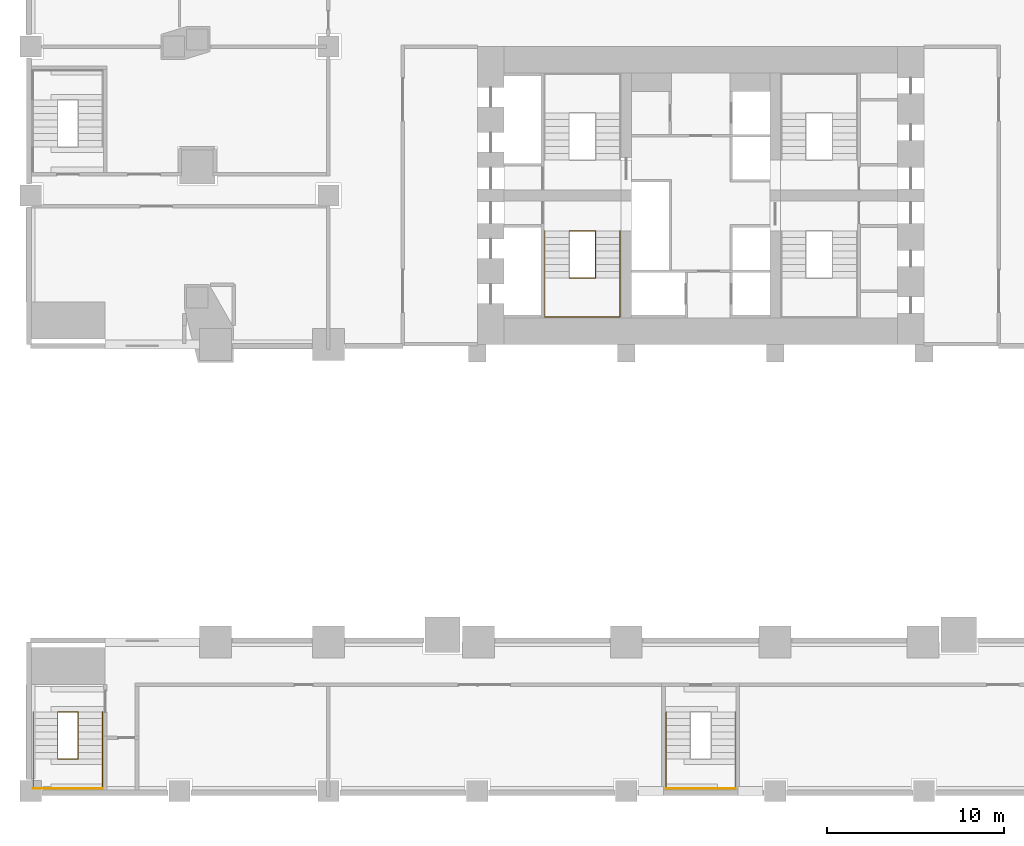
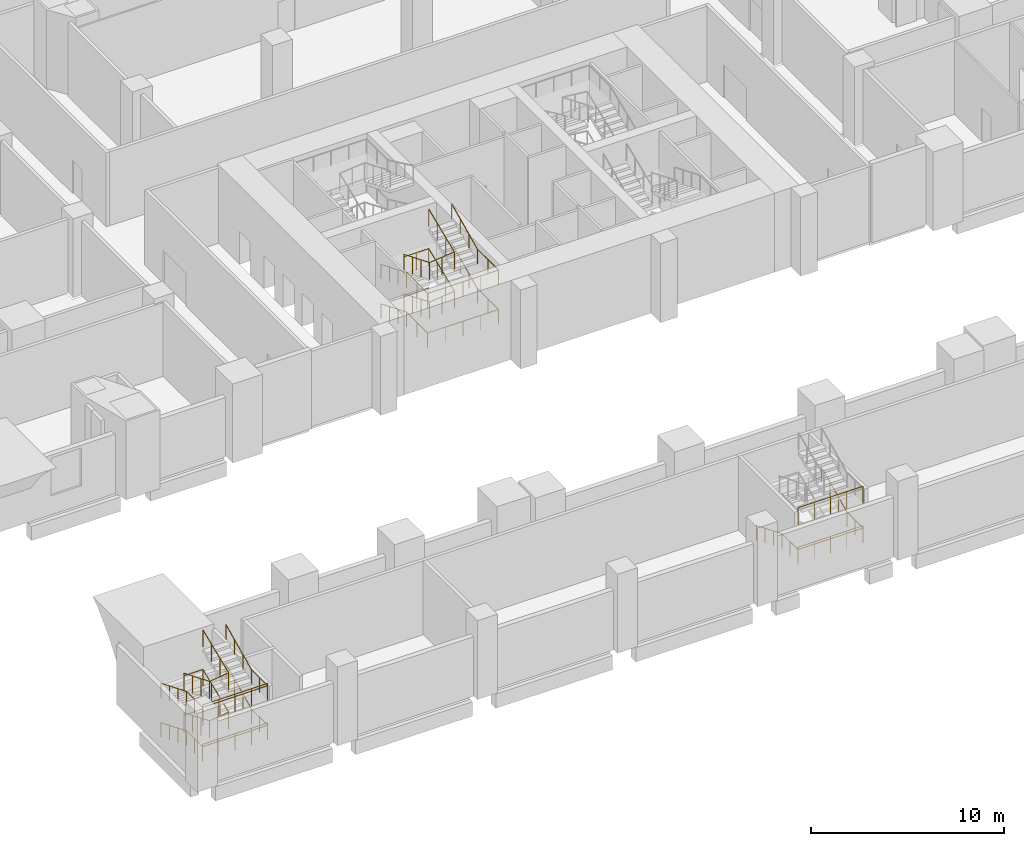
# One storey, part 11 of 16: 13 railings.
"""IFC4 building model written with IfcOpenShell, lengths in metres."""

from ifc_helpers import new_model, si_unit, direction, frame, origin, origin_2d, place, context, subcontext, project, spatial, circle, extrude, material, type_object, element, save


model = new_model("IFC4")

# Units and contexts
model_context = context("Model", 3, precision=1e-05, world=origin(), true_north=direction((0.0, 1.0)))
body_context = subcontext(model_context, "Body", "Model", "MODEL_VIEW")
ifc_project = project(units=[si_unit("LENGTHUNIT", "METRE"), si_unit("AREAUNIT", "SQUARE_METRE"), si_unit("VOLUMEUNIT", "CUBIC_METRE"), si_unit("PLANEANGLEUNIT", "RADIAN"), si_unit("MASSUNIT", "GRAM", prefix="KILO")], contexts=[model_context])

# Site, building, storey
site_placement = place(None, origin())
site = spatial("IfcSite", under=ifc_project, at=site_placement, CompositionType="ELEMENT")
building_placement = place(site_placement, origin())
building = spatial("IfcBuilding", under=site, at=building_placement, Name="Marenta Gate Hotel Tower", CompositionType="ELEMENT")
storey_placement = place(building_placement, frame((0.0, 0.0, 21.0)))
storey = spatial("IfcBuildingStorey", under=building, at=storey_placement, Name="L03", CompositionType="ELEMENT", Elevation=21.0)

# Railings
ifc_material_1 = material(Name="Stainless steel", Category="steel")
railing_type_1 = type_object("IfcRailingType", Name="Core stair handrail 950", PredefinedType="HANDRAIL", material=ifc_material_1)
railing_1_placement = place(storey_placement, frame((-8.800048828125, 6.39990234375, 0.15625)))
element("IfcRailing", 1, at=railing_1_placement, inside=storey, type_object=railing_type_1, Name="HR-950 L03-KR-ST1-1", PredefinedType="HANDRAIL", context=body_context, shape_type="SweptSolid", body=[
    extrude(circle(Radius=0.02392578125, at=origin_2d()), frame((0.0, 0.0, 0.92578125), z_axis=(0.0, -0.924862585091, 0.38030145766), x_axis=(1.0, 0.0, 0.0)), (0.0, 0.0, 1.0), 2.8759765625),
    extrude(circle(Radius=0.02392578125, at=origin_2d()), frame((0.0, -2.659912109375, 2.01953125), z_axis=(0.0, -1.0, 0.0), x_axis=(1.0, 0.0, 0.0)), (0.0, 0.0, 1.0), 2.18994140625),
    extrude(circle(Radius=0.02392578125, at=origin_2d()), frame((0.0, -4.849853515625, 2.01953125), z_axis=(1.0, 0.0, 0.0), x_axis=(0.0, 1.0, 0.0)), (0.0, 0.0, 1.0), 4.25),
    extrude(circle(Radius=0.02392578125, at=origin_2d()), frame((4.25, -4.849853515625, 2.01953125), z_axis=(0.0, 1.0, 0.0), x_axis=(-1.0, 0.0, 0.0)), (0.0, 0.0, 1.0), 2.18994140625),
    extrude(circle(Radius=0.02392578125, at=origin_2d()), frame((4.25, -2.659912109375, 2.01953125), z_axis=(0.0, 0.905044486808, 0.425316913488), x_axis=(-1.0, 0.0, 0.0)), (0.0, 0.0, 1.0), 2.93896484375),
    extrude(circle(Radius=0.02099609375, at=origin_2d()), origin(), (0.0, 0.0, 1.0), 0.90185546875),
    extrude(circle(Radius=0.02099609375, at=origin_2d()), frame((0.0, -0.88671875, 0.364501953125)), (0.0, 0.0, 1.0), 0.90185546875),
    extrude(circle(Radius=0.02099609375, at=origin_2d()), frame((0.0, -1.773193359375, 0.729248046875)), (0.0, 0.0, 1.0), 0.90185546875),
    extrude(circle(Radius=0.02099609375, at=origin_2d()), frame((0.0, -2.659912109375, 1.09375)), (0.0, 0.0, 1.0), 0.90185546875),
    extrude(circle(Radius=0.02099609375, at=origin_2d()), frame((0.0, -3.7548828125, 1.09375)), (0.0, 0.0, 1.0), 0.90185546875),
    extrude(circle(Radius=0.02099609375, at=origin_2d()), frame((0.0, -4.849853515625, 1.09375)), (0.0, 0.0, 1.0), 0.90185546875),
    extrude(circle(Radius=0.02099609375, at=origin_2d()), frame((1.0625, -4.849853515625, 1.09375)), (0.0, 0.0, 1.0), 0.90185546875),
    extrude(circle(Radius=0.02099609375, at=origin_2d()), frame((2.125, -4.849853515625, 1.09375)), (0.0, 0.0, 1.0), 0.90185546875),
    extrude(circle(Radius=0.02099609375, at=origin_2d()), frame((3.1875, -4.849853515625, 1.09375)), (0.0, 0.0, 1.0), 0.90185546875),
    extrude(circle(Radius=0.02099609375, at=origin_2d()), frame((4.25, -4.849853515625, 1.09375)), (0.0, 0.0, 1.0), 0.90185546875),
    extrude(circle(Radius=0.02099609375, at=origin_2d()), frame((4.25, -3.7548828125, 1.09375)), (0.0, 0.0, 1.0), 0.90185546875),
    extrude(circle(Radius=0.02099609375, at=origin_2d()), frame((4.25, -2.659912109375, 1.09375)), (0.0, 0.0, 1.0), 0.90185546875),
    extrude(circle(Radius=0.02099609375, at=origin_2d()), frame((4.25, -1.773193359375, 1.510498046875)), (0.0, 0.0, 1.0), 0.90185546875),
    extrude(circle(Radius=0.02099609375, at=origin_2d()), frame((4.25, -0.88671875, 1.927001953125)), (0.0, 0.0, 1.0), 0.90185546875),
    extrude(circle(Radius=0.02099609375, at=origin_2d()), frame((4.25, 0.0, 2.34375)), (0.0, 0.0, 1.0), 0.90185546875),
])
railing_2_placement = place(storey_placement, frame((-8.800048828125, 6.39990234375, 2.65625)))
element("IfcRailing", 2, at=railing_2_placement, inside=storey, type_object=railing_type_1, Name="HR-950 L03-KR-ST1-3", PredefinedType="HANDRAIL", context=body_context, shape_type="SweptSolid", body=[
    extrude(circle(Radius=0.02392578125, at=origin_2d()), frame((0.0, 0.0, 0.92578125), z_axis=(0.0, -0.924862585091, 0.38030145766), x_axis=(1.0, 0.0, 0.0)), (0.0, 0.0, 1.0), 2.8759765625),
    extrude(circle(Radius=0.02392578125, at=origin_2d()), frame((0.0, -2.659912109375, 2.01953125), z_axis=(0.0, -1.0, 0.0), x_axis=(1.0, 0.0, 0.0)), (0.0, 0.0, 1.0), 2.18994140625),
    extrude(circle(Radius=0.02392578125, at=origin_2d()), frame((0.0, -4.849853515625, 2.01953125), z_axis=(1.0, 0.0, 0.0), x_axis=(0.0, 1.0, 0.0)), (0.0, 0.0, 1.0), 4.25),
    extrude(circle(Radius=0.02392578125, at=origin_2d()), frame((4.25, -4.849853515625, 2.01953125), z_axis=(0.0, 1.0, 0.0), x_axis=(-1.0, 0.0, 0.0)), (0.0, 0.0, 1.0), 2.18994140625),
    extrude(circle(Radius=0.02392578125, at=origin_2d()), frame((4.25, -2.659912109375, 2.01953125), z_axis=(0.0, 0.905044486808, 0.425316913488), x_axis=(-1.0, 0.0, 0.0)), (0.0, 0.0, 1.0), 2.93896484375),
    extrude(circle(Radius=0.02099609375, at=origin_2d()), origin(), (0.0, 0.0, 1.0), 0.90185546875),
    extrude(circle(Radius=0.02099609375, at=origin_2d()), frame((0.0, -0.88671875, 0.364501953125)), (0.0, 0.0, 1.0), 0.90185546875),
    extrude(circle(Radius=0.02099609375, at=origin_2d()), frame((0.0, -1.773193359375, 0.729248046875)), (0.0, 0.0, 1.0), 0.90185546875),
    extrude(circle(Radius=0.02099609375, at=origin_2d()), frame((0.0, -2.659912109375, 1.09375)), (0.0, 0.0, 1.0), 0.90185546875),
    extrude(circle(Radius=0.02099609375, at=origin_2d()), frame((0.0, -3.7548828125, 1.09375)), (0.0, 0.0, 1.0), 0.90185546875),
    extrude(circle(Radius=0.02099609375, at=origin_2d()), frame((0.0, -4.849853515625, 1.09375)), (0.0, 0.0, 1.0), 0.90185546875),
    extrude(circle(Radius=0.02099609375, at=origin_2d()), frame((1.0625, -4.849853515625, 1.09375)), (0.0, 0.0, 1.0), 0.90185546875),
    extrude(circle(Radius=0.02099609375, at=origin_2d()), frame((2.125, -4.849853515625, 1.09375)), (0.0, 0.0, 1.0), 0.90185546875),
    extrude(circle(Radius=0.02099609375, at=origin_2d()), frame((3.1875, -4.849853515625, 1.09375)), (0.0, 0.0, 1.0), 0.90185546875),
    extrude(circle(Radius=0.02099609375, at=origin_2d()), frame((4.25, -4.849853515625, 1.09375)), (0.0, 0.0, 1.0), 0.90185546875),
    extrude(circle(Radius=0.02099609375, at=origin_2d()), frame((4.25, -3.7548828125, 1.09375)), (0.0, 0.0, 1.0), 0.90185546875),
    extrude(circle(Radius=0.02099609375, at=origin_2d()), frame((4.25, -2.659912109375, 1.09375)), (0.0, 0.0, 1.0), 0.90185546875),
    extrude(circle(Radius=0.02099609375, at=origin_2d()), frame((4.25, -1.773193359375, 1.510498046875)), (0.0, 0.0, 1.0), 0.90185546875),
    extrude(circle(Radius=0.02099609375, at=origin_2d()), frame((4.25, -0.88671875, 1.927001953125)), (0.0, 0.0, 1.0), 0.90185546875),
    extrude(circle(Radius=0.02099609375, at=origin_2d()), frame((4.25, 0.0, 2.34375)), (0.0, 0.0, 1.0), 0.90185546875),
])
railing_3_placement = place(storey_placement, frame((-37.64990234375, -20.72998046875, 0.15625)))
element("IfcRailing", 3, at=railing_3_placement, inside=storey, type_object=railing_type_1, Name="HR-950 L03-KR-PX1-2", PredefinedType="HANDRAIL", context=body_context, shape_type="SweptSolid", body=[
    extrude(circle(Radius=0.02392578125, at=origin_2d()), frame((0.0, 0.0, 0.92578125), z_axis=(0.0, -0.924862585091, 0.38030145766), x_axis=(1.0, 0.0, 0.0)), (0.0, 0.0, 1.0), 2.8759765625),
    extrude(circle(Radius=0.02392578125, at=origin_2d()), frame((0.0, -2.659912109375, 2.01953125), z_axis=(0.0, -1.0, 0.0), x_axis=(1.0, 0.0, 0.0)), (0.0, 0.0, 1.0), 1.66015625),
    extrude(circle(Radius=0.02392578125, at=origin_2d()), frame((0.0, -4.320068359375, 2.01953125), z_axis=(1.0, 0.0, 0.0), x_axis=(0.0, 1.0, 0.0)), (0.0, 0.0, 1.0), 3.89990234375),
    extrude(circle(Radius=0.02392578125, at=origin_2d()), frame((3.89990234375, -4.320068359375, 2.01953125), z_axis=(0.0, 1.0, 0.0), x_axis=(-1.0, 0.0, 0.0)), (0.0, 0.0, 1.0), 1.66015625),
    extrude(circle(Radius=0.02392578125, at=origin_2d()), frame((3.89990234375, -2.659912109375, 2.01953125), z_axis=(0.0, 0.905044486808, 0.425316913488), x_axis=(-1.0, 0.0, 0.0)), (0.0, 0.0, 1.0), 2.93896484375),
    extrude(circle(Radius=0.02099609375, at=origin_2d()), origin(), (0.0, 0.0, 1.0), 0.90185546875),
    extrude(circle(Radius=0.02099609375, at=origin_2d()), frame((0.0, -0.88671875, 0.364501953125)), (0.0, 0.0, 1.0), 0.90185546875),
    extrude(circle(Radius=0.02099609375, at=origin_2d()), frame((0.0, -1.773193359375, 0.729248046875)), (0.0, 0.0, 1.0), 0.90185546875),
    extrude(circle(Radius=0.02099609375, at=origin_2d()), frame((0.0, -2.659912109375, 1.09375)), (0.0, 0.0, 1.0), 0.90185546875),
    extrude(circle(Radius=0.02099609375, at=origin_2d()), frame((0.0, -3.489990234375, 1.09375)), (0.0, 0.0, 1.0), 0.90185546875),
    extrude(circle(Radius=0.02099609375, at=origin_2d()), frame((0.0, -4.320068359375, 1.09375)), (0.0, 0.0, 1.0), 0.90185546875),
    extrude(circle(Radius=0.02099609375, at=origin_2d()), frame((0.97509765625, -4.320068359375, 1.09375)), (0.0, 0.0, 1.0), 0.90185546875),
    extrude(circle(Radius=0.02099609375, at=origin_2d()), frame((1.949951171875, -4.320068359375, 1.09375)), (0.0, 0.0, 1.0), 0.90185546875),
    extrude(circle(Radius=0.02099609375, at=origin_2d()), frame((2.9248046875, -4.320068359375, 1.09375)), (0.0, 0.0, 1.0), 0.90185546875),
    extrude(circle(Radius=0.02099609375, at=origin_2d()), frame((3.89990234375, -4.320068359375, 1.09375)), (0.0, 0.0, 1.0), 0.90185546875),
    extrude(circle(Radius=0.02099609375, at=origin_2d()), frame((3.89990234375, -3.489990234375, 1.09375)), (0.0, 0.0, 1.0), 0.90185546875),
    extrude(circle(Radius=0.02099609375, at=origin_2d()), frame((3.89990234375, -2.659912109375, 1.09375)), (0.0, 0.0, 1.0), 0.90185546875),
    extrude(circle(Radius=0.02099609375, at=origin_2d()), frame((3.89990234375, -1.773193359375, 1.510498046875)), (0.0, 0.0, 1.0), 0.90185546875),
    extrude(circle(Radius=0.02099609375, at=origin_2d()), frame((3.89990234375, -0.88671875, 1.927001953125)), (0.0, 0.0, 1.0), 0.90185546875),
    extrude(circle(Radius=0.02099609375, at=origin_2d()), frame((3.89990234375, 0.0, 2.34375)), (0.0, 0.0, 1.0), 0.90185546875),
])
railing_4_placement = place(storey_placement, frame((-37.64990234375, -20.72998046875, 2.65625)))
element("IfcRailing", 4, at=railing_4_placement, inside=storey, type_object=railing_type_1, Name="HR-950 L03-KR-PX1-5", PredefinedType="HANDRAIL", context=body_context, shape_type="SweptSolid", body=[
    extrude(circle(Radius=0.02392578125, at=origin_2d()), frame((0.0, 0.0, 0.92578125), z_axis=(0.0, -0.924862585091, 0.38030145766), x_axis=(1.0, 0.0, 0.0)), (0.0, 0.0, 1.0), 2.8759765625),
    extrude(circle(Radius=0.02392578125, at=origin_2d()), frame((0.0, -2.659912109375, 2.01953125), z_axis=(0.0, -1.0, 0.0), x_axis=(1.0, 0.0, 0.0)), (0.0, 0.0, 1.0), 1.66015625),
    extrude(circle(Radius=0.02392578125, at=origin_2d()), frame((0.0, -4.320068359375, 2.01953125), z_axis=(1.0, 0.0, 0.0), x_axis=(0.0, 1.0, 0.0)), (0.0, 0.0, 1.0), 3.89990234375),
    extrude(circle(Radius=0.02392578125, at=origin_2d()), frame((3.89990234375, -4.320068359375, 2.01953125), z_axis=(0.0, 1.0, 0.0), x_axis=(-1.0, 0.0, 0.0)), (0.0, 0.0, 1.0), 1.66015625),
    extrude(circle(Radius=0.02392578125, at=origin_2d()), frame((3.89990234375, -2.659912109375, 2.01953125), z_axis=(0.0, 0.905044486808, 0.425316913488), x_axis=(-1.0, 0.0, 0.0)), (0.0, 0.0, 1.0), 2.93896484375),
    extrude(circle(Radius=0.02099609375, at=origin_2d()), origin(), (0.0, 0.0, 1.0), 0.90185546875),
    extrude(circle(Radius=0.02099609375, at=origin_2d()), frame((0.0, -0.88671875, 0.364501953125)), (0.0, 0.0, 1.0), 0.90185546875),
    extrude(circle(Radius=0.02099609375, at=origin_2d()), frame((0.0, -1.773193359375, 0.729248046875)), (0.0, 0.0, 1.0), 0.90185546875),
    extrude(circle(Radius=0.02099609375, at=origin_2d()), frame((0.0, -2.659912109375, 1.09375)), (0.0, 0.0, 1.0), 0.90185546875),
    extrude(circle(Radius=0.02099609375, at=origin_2d()), frame((0.0, -3.489990234375, 1.09375)), (0.0, 0.0, 1.0), 0.90185546875),
    extrude(circle(Radius=0.02099609375, at=origin_2d()), frame((0.0, -4.320068359375, 1.09375)), (0.0, 0.0, 1.0), 0.90185546875),
    extrude(circle(Radius=0.02099609375, at=origin_2d()), frame((0.97509765625, -4.320068359375, 1.09375)), (0.0, 0.0, 1.0), 0.90185546875),
    extrude(circle(Radius=0.02099609375, at=origin_2d()), frame((1.949951171875, -4.320068359375, 1.09375)), (0.0, 0.0, 1.0), 0.90185546875),
    extrude(circle(Radius=0.02099609375, at=origin_2d()), frame((2.9248046875, -4.320068359375, 1.09375)), (0.0, 0.0, 1.0), 0.90185546875),
    extrude(circle(Radius=0.02099609375, at=origin_2d()), frame((3.89990234375, -4.320068359375, 1.09375)), (0.0, 0.0, 1.0), 0.90185546875),
    extrude(circle(Radius=0.02099609375, at=origin_2d()), frame((3.89990234375, -3.489990234375, 1.09375)), (0.0, 0.0, 1.0), 0.90185546875),
    extrude(circle(Radius=0.02099609375, at=origin_2d()), frame((3.89990234375, -2.659912109375, 1.09375)), (0.0, 0.0, 1.0), 0.90185546875),
    extrude(circle(Radius=0.02099609375, at=origin_2d()), frame((3.89990234375, -1.773193359375, 1.510498046875)), (0.0, 0.0, 1.0), 0.90185546875),
    extrude(circle(Radius=0.02099609375, at=origin_2d()), frame((3.89990234375, -0.88671875, 1.927001953125)), (0.0, 0.0, 1.0), 0.90185546875),
    extrude(circle(Radius=0.02099609375, at=origin_2d()), frame((3.89990234375, 0.0, 2.34375)), (0.0, 0.0, 1.0), 0.90185546875),
])
railing_5_placement = place(storey_placement, frame((-1.949951171875, -20.72998046875, 0.15625)))
element("IfcRailing", 5, at=railing_5_placement, inside=storey, type_object=railing_type_1, Name="HR-950 L03-KR-PX5-2", PredefinedType="HANDRAIL", context=body_context, shape_type="SweptSolid", body=[
    extrude(circle(Radius=0.02392578125, at=origin_2d()), frame((0.0, 0.0, 0.92578125), z_axis=(0.0, -0.924862585091, 0.38030145766), x_axis=(1.0, 0.0, 0.0)), (0.0, 0.0, 1.0), 2.8759765625),
    extrude(circle(Radius=0.02392578125, at=origin_2d()), frame((0.0, -2.659912109375, 2.01953125), z_axis=(0.0, -1.0, 0.0), x_axis=(1.0, 0.0, 0.0)), (0.0, 0.0, 1.0), 1.66015625),
    extrude(circle(Radius=0.02392578125, at=origin_2d()), frame((0.0, -4.320068359375, 2.01953125), z_axis=(1.0, 0.0, 0.0), x_axis=(0.0, 1.0, 0.0)), (0.0, 0.0, 1.0), 3.89990234375),
    extrude(circle(Radius=0.02392578125, at=origin_2d()), frame((3.89990234375, -4.320068359375, 2.01953125), z_axis=(0.0, 1.0, 0.0), x_axis=(-1.0, 0.0, 0.0)), (0.0, 0.0, 1.0), 1.66015625),
    extrude(circle(Radius=0.02392578125, at=origin_2d()), frame((3.89990234375, -2.659912109375, 2.01953125), z_axis=(0.0, 0.905044486808, 0.425316913488), x_axis=(-1.0, 0.0, 0.0)), (0.0, 0.0, 1.0), 2.93896484375),
    extrude(circle(Radius=0.02099609375, at=origin_2d()), origin(), (0.0, 0.0, 1.0), 0.90185546875),
    extrude(circle(Radius=0.02099609375, at=origin_2d()), frame((0.0, -0.88671875, 0.364501953125)), (0.0, 0.0, 1.0), 0.90185546875),
    extrude(circle(Radius=0.02099609375, at=origin_2d()), frame((0.0, -1.773193359375, 0.729248046875)), (0.0, 0.0, 1.0), 0.90185546875),
    extrude(circle(Radius=0.02099609375, at=origin_2d()), frame((0.0, -2.659912109375, 1.09375)), (0.0, 0.0, 1.0), 0.90185546875),
    extrude(circle(Radius=0.02099609375, at=origin_2d()), frame((0.0, -3.489990234375, 1.09375)), (0.0, 0.0, 1.0), 0.90185546875),
    extrude(circle(Radius=0.02099609375, at=origin_2d()), frame((0.0, -4.320068359375, 1.09375)), (0.0, 0.0, 1.0), 0.90185546875),
    extrude(circle(Radius=0.02099609375, at=origin_2d()), frame((0.97509765625, -4.320068359375, 1.09375)), (0.0, 0.0, 1.0), 0.90185546875),
    extrude(circle(Radius=0.02099609375, at=origin_2d()), frame((1.949951171875, -4.320068359375, 1.09375)), (0.0, 0.0, 1.0), 0.90185546875),
    extrude(circle(Radius=0.02099609375, at=origin_2d()), frame((2.9248046875, -4.320068359375, 1.09375)), (0.0, 0.0, 1.0), 0.90185546875),
    extrude(circle(Radius=0.02099609375, at=origin_2d()), frame((3.89990234375, -4.320068359375, 1.09375)), (0.0, 0.0, 1.0), 0.90185546875),
    extrude(circle(Radius=0.02099609375, at=origin_2d()), frame((3.89990234375, -3.489990234375, 1.09375)), (0.0, 0.0, 1.0), 0.90185546875),
    extrude(circle(Radius=0.02099609375, at=origin_2d()), frame((3.89990234375, -2.659912109375, 1.09375)), (0.0, 0.0, 1.0), 0.90185546875),
    extrude(circle(Radius=0.02099609375, at=origin_2d()), frame((3.89990234375, -1.773193359375, 1.510498046875)), (0.0, 0.0, 1.0), 0.90185546875),
    extrude(circle(Radius=0.02099609375, at=origin_2d()), frame((3.89990234375, -0.88671875, 1.927001953125)), (0.0, 0.0, 1.0), 0.90185546875),
    extrude(circle(Radius=0.02099609375, at=origin_2d()), frame((3.89990234375, 0.0, 2.34375)), (0.0, 0.0, 1.0), 0.90185546875),
])
ifc_material_2 = material(Name="Stainless steel", Category="steel")
railing_type_2 = type_object("IfcRailingType", Name="Core stair well guard 1100", PredefinedType="GUARDRAIL", material=ifc_material_2)
railing_6_placement = place(storey_placement, frame((-5.929931640625, 6.39990234375, 0.0)))
element("IfcRailing", 6, at=railing_6_placement, inside=storey, type_object=railing_type_2, Name="GR-1100 L03-KR-ST1-2", PredefinedType="GUARDRAIL", context=body_context, shape_type="SweptSolid", body=[
    extrude(circle(Radius=0.02392578125, at=origin_2d()), frame((0.0, 0.0, 1.076171875), z_axis=(-1.0, 0.0, 0.0), x_axis=(0.0, -1.0, 0.0)), (0.0, 0.0, 1.0), 1.489990234375),
    extrude(circle(Radius=0.02392578125, at=origin_2d()), frame((-1.489990234375, 0.0, 1.076171875), z_axis=(0.0, 0.0, 1.0), x_axis=(1.0, 0.0, 0.0)), (0.0, 0.0, 1.0), 0.15625),
    extrude(circle(Radius=0.02392578125, at=origin_2d()), frame((-1.489990234375, 0.0, 1.232421875), z_axis=(0.0, -0.924862585091, 0.38030145766), x_axis=(1.0, 0.0, 0.0)), (0.0, 0.0, 1.0), 2.8759765625),
    extrude(circle(Radius=0.02392578125, at=origin_2d()), frame((-1.489990234375, -2.659912109375, 2.326171875), z_axis=(0.994546451282, 0.0, 0.104294564775), x_axis=(0.0, 1.0, 0.0)), (0.0, 0.0, 1.0), 1.498046875),
    extrude(circle(Radius=0.02392578125, at=origin_2d()), frame((0.0, -2.659912109375, 2.482421875), z_axis=(0.0, 0.924862585091, 0.38030145766), x_axis=(-1.0, 0.0, 0.0)), (0.0, 0.0, 1.0), 2.8759765625),
    extrude(circle(Radius=0.02099609375, at=origin_2d()), origin(), (0.0, 0.0, 1.0), 1.052001953125),
    extrude(circle(Radius=0.02099609375, at=origin_2d()), frame((-0.7451171875, 0.0, 0.0)), (0.0, 0.0, 1.0), 1.052001953125),
    extrude(circle(Radius=0.02099609375, at=origin_2d()), frame((-1.489990234375, 0.0, 0.0)), (0.0, 0.0, 1.0), 1.052001953125),
    extrude(circle(Radius=0.02099609375, at=origin_2d()), frame((-1.489990234375, 0.0, 0.15625)), (0.0, 0.0, 1.0), 1.052001953125),
    extrude(circle(Radius=0.02099609375, at=origin_2d()), frame((-1.489990234375, -0.88671875, 0.520751953125)), (0.0, 0.0, 1.0), 1.052001953125),
    extrude(circle(Radius=0.02099609375, at=origin_2d()), frame((-1.489990234375, -1.773193359375, 0.885498046875)), (0.0, 0.0, 1.0), 1.052001953125),
    extrude(circle(Radius=0.02099609375, at=origin_2d()), frame((-1.489990234375, -2.659912109375, 1.25)), (0.0, 0.0, 1.0), 1.052001953125),
    extrude(circle(Radius=0.02099609375, at=origin_2d()), frame((-0.7451171875, -2.659912109375, 1.328125)), (0.0, 0.0, 1.0), 1.052001953125),
    extrude(circle(Radius=0.02099609375, at=origin_2d()), frame((0.0, -2.659912109375, 1.40625)), (0.0, 0.0, 1.0), 1.052001953125),
    extrude(circle(Radius=0.02099609375, at=origin_2d()), frame((0.0, -1.773193359375, 1.770751953125)), (0.0, 0.0, 1.0), 1.052001953125),
    extrude(circle(Radius=0.02099609375, at=origin_2d()), frame((0.0, -0.88671875, 2.135498046875)), (0.0, 0.0, 1.0), 1.052001953125),
    extrude(circle(Radius=0.02099609375, at=origin_2d()), frame((0.0, 0.0, 2.5)), (0.0, 0.0, 1.0), 1.052001953125),
])
railing_7_placement = place(storey_placement, frame((-5.929931640625, 6.39990234375, 2.5)))
element("IfcRailing", 7, at=railing_7_placement, inside=storey, type_object=railing_type_2, Name="GR-1100 L03-KR-ST1-4", PredefinedType="GUARDRAIL", context=body_context, shape_type="SweptSolid", body=[
    extrude(circle(Radius=0.02392578125, at=origin_2d()), frame((0.0, 0.0, 1.076171875), z_axis=(-1.0, 0.0, 0.0), x_axis=(0.0, -1.0, 0.0)), (0.0, 0.0, 1.0), 1.489990234375),
    extrude(circle(Radius=0.02392578125, at=origin_2d()), frame((-1.489990234375, 0.0, 1.076171875), z_axis=(0.0, 0.0, 1.0), x_axis=(1.0, 0.0, 0.0)), (0.0, 0.0, 1.0), 0.15625),
    extrude(circle(Radius=0.02392578125, at=origin_2d()), frame((-1.489990234375, 0.0, 1.232421875), z_axis=(0.0, -0.924862585091, 0.38030145766), x_axis=(1.0, 0.0, 0.0)), (0.0, 0.0, 1.0), 2.8759765625),
    extrude(circle(Radius=0.02392578125, at=origin_2d()), frame((-1.489990234375, -2.659912109375, 2.326171875), z_axis=(0.994546451282, 0.0, 0.104294564775), x_axis=(0.0, 1.0, 0.0)), (0.0, 0.0, 1.0), 1.498046875),
    extrude(circle(Radius=0.02392578125, at=origin_2d()), frame((0.0, -2.659912109375, 2.482421875), z_axis=(0.0, 0.924862585091, 0.38030145766), x_axis=(-1.0, 0.0, 0.0)), (0.0, 0.0, 1.0), 2.8759765625),
    extrude(circle(Radius=0.02099609375, at=origin_2d()), origin(), (0.0, 0.0, 1.0), 1.052001953125),
    extrude(circle(Radius=0.02099609375, at=origin_2d()), frame((-0.7451171875, 0.0, 0.0)), (0.0, 0.0, 1.0), 1.052001953125),
    extrude(circle(Radius=0.02099609375, at=origin_2d()), frame((-1.489990234375, 0.0, 0.0)), (0.0, 0.0, 1.0), 1.052001953125),
    extrude(circle(Radius=0.02099609375, at=origin_2d()), frame((-1.489990234375, 0.0, 0.15625)), (0.0, 0.0, 1.0), 1.052001953125),
    extrude(circle(Radius=0.02099609375, at=origin_2d()), frame((-1.489990234375, -0.88671875, 0.520751953125)), (0.0, 0.0, 1.0), 1.052001953125),
    extrude(circle(Radius=0.02099609375, at=origin_2d()), frame((-1.489990234375, -1.773193359375, 0.885498046875)), (0.0, 0.0, 1.0), 1.052001953125),
    extrude(circle(Radius=0.02099609375, at=origin_2d()), frame((-1.489990234375, -2.659912109375, 1.25)), (0.0, 0.0, 1.0), 1.052001953125),
    extrude(circle(Radius=0.02099609375, at=origin_2d()), frame((-0.7451171875, -2.659912109375, 1.328125)), (0.0, 0.0, 1.0), 1.052001953125),
    extrude(circle(Radius=0.02099609375, at=origin_2d()), frame((0.0, -2.659912109375, 1.40625)), (0.0, 0.0, 1.0), 1.052001953125),
    extrude(circle(Radius=0.02099609375, at=origin_2d()), frame((0.0, -1.773193359375, 1.770751953125)), (0.0, 0.0, 1.0), 1.052001953125),
    extrude(circle(Radius=0.02099609375, at=origin_2d()), frame((0.0, -0.88671875, 2.135498046875)), (0.0, 0.0, 1.0), 1.052001953125),
    extrude(circle(Radius=0.02099609375, at=origin_2d()), frame((0.0, 0.0, 2.5)), (0.0, 0.0, 1.0), 1.052001953125),
])
railing_8_placement = place(storey_placement, frame((-37.64990234375, -25.050048828125, 1.25)))
element("IfcRailing", 8, at=railing_8_placement, inside=storey, type_object=railing_type_2, Name="GR-1100 L03-KR-PX1-1", PredefinedType="GUARDRAIL", context=body_context, shape_type="SweptSolid", body=[
    extrude(circle(Radius=0.02392578125, at=origin_2d()), frame((0.0, 0.0, 1.076171875), z_axis=(1.0, 0.0, 0.0), x_axis=(0.0, 1.0, 0.0)), (0.0, 0.0, 1.0), 3.89990234375),
    extrude(circle(Radius=0.02099609375, at=origin_2d()), origin(), (0.0, 0.0, 1.0), 1.052001953125),
    extrude(circle(Radius=0.02099609375, at=origin_2d()), frame((0.97509765625, 0.0, 0.0)), (0.0, 0.0, 1.0), 1.052001953125),
    extrude(circle(Radius=0.02099609375, at=origin_2d()), frame((1.949951171875, 0.0, 0.0)), (0.0, 0.0, 1.0), 1.052001953125),
    extrude(circle(Radius=0.02099609375, at=origin_2d()), frame((2.9248046875, 0.0, 0.0)), (0.0, 0.0, 1.0), 1.052001953125),
    extrude(circle(Radius=0.02099609375, at=origin_2d()), frame((3.89990234375, 0.0, 0.0)), (0.0, 0.0, 1.0), 1.052001953125),
])
railing_9_placement = place(storey_placement, frame((-35.1298828125, -20.72998046875, 0.0)))
element("IfcRailing", 9, at=railing_9_placement, inside=storey, type_object=railing_type_2, Name="GR-1100 L03-KR-PX1-3", PredefinedType="GUARDRAIL", context=body_context, shape_type="SweptSolid", body=[
    extrude(circle(Radius=0.02392578125, at=origin_2d()), frame((0.0, 0.0, 1.076171875), z_axis=(-1.0, 0.0, 0.0), x_axis=(0.0, -1.0, 0.0)), (0.0, 0.0, 1.0), 1.14013671875),
    extrude(circle(Radius=0.02392578125, at=origin_2d()), frame((-1.14013671875, 0.0, 1.076171875), z_axis=(0.0, 0.0, 1.0), x_axis=(1.0, 0.0, 0.0)), (0.0, 0.0, 1.0), 0.15625),
    extrude(circle(Radius=0.02392578125, at=origin_2d()), frame((-1.14013671875, 0.0, 1.232421875), z_axis=(0.0, -0.924862585091, 0.38030145766), x_axis=(1.0, 0.0, 0.0)), (0.0, 0.0, 1.0), 2.8759765625),
    extrude(circle(Radius=0.02392578125, at=origin_2d()), frame((-1.14013671875, -2.659912109375, 2.326171875), z_axis=(0.990739578357, 0.0, 0.135775873693), x_axis=(0.0, 1.0, 0.0)), (0.0, 0.0, 1.0), 1.15087890625),
    extrude(circle(Radius=0.02392578125, at=origin_2d()), frame((0.0, -2.659912109375, 2.482421875), z_axis=(0.0, 0.924862585091, 0.38030145766), x_axis=(-1.0, 0.0, 0.0)), (0.0, 0.0, 1.0), 2.8759765625),
    extrude(circle(Radius=0.02099609375, at=origin_2d()), origin(), (0.0, 0.0, 1.0), 1.052001953125),
    extrude(circle(Radius=0.02099609375, at=origin_2d()), frame((-1.14013671875, 0.0, 0.0)), (0.0, 0.0, 1.0), 1.052001953125),
    extrude(circle(Radius=0.02099609375, at=origin_2d()), frame((-1.14013671875, 0.0, 0.15625)), (0.0, 0.0, 1.0), 1.052001953125),
    extrude(circle(Radius=0.02099609375, at=origin_2d()), frame((-1.14013671875, -0.88671875, 0.520751953125)), (0.0, 0.0, 1.0), 1.052001953125),
    extrude(circle(Radius=0.02099609375, at=origin_2d()), frame((-1.14013671875, -1.773193359375, 0.885498046875)), (0.0, 0.0, 1.0), 1.052001953125),
    extrude(circle(Radius=0.02099609375, at=origin_2d()), frame((-1.14013671875, -2.659912109375, 1.25)), (0.0, 0.0, 1.0), 1.052001953125),
    extrude(circle(Radius=0.02099609375, at=origin_2d()), frame((0.0, -2.659912109375, 1.40625)), (0.0, 0.0, 1.0), 1.052001953125),
    extrude(circle(Radius=0.02099609375, at=origin_2d()), frame((0.0, -1.773193359375, 1.770751953125)), (0.0, 0.0, 1.0), 1.052001953125),
    extrude(circle(Radius=0.02099609375, at=origin_2d()), frame((0.0, -0.88671875, 2.135498046875)), (0.0, 0.0, 1.0), 1.052001953125),
    extrude(circle(Radius=0.02099609375, at=origin_2d()), frame((0.0, 0.0, 2.5)), (0.0, 0.0, 1.0), 1.052001953125),
])
railing_10_placement = place(storey_placement, frame((-37.64990234375, -25.050048828125, 3.75)))
element("IfcRailing", 10, at=railing_10_placement, inside=storey, type_object=railing_type_2, Name="GR-1100 L03-KR-PX1-4", PredefinedType="GUARDRAIL", context=body_context, shape_type="SweptSolid", body=[
    extrude(circle(Radius=0.02392578125, at=origin_2d()), frame((0.0, 0.0, 1.076171875), z_axis=(1.0, 0.0, 0.0), x_axis=(0.0, 1.0, 0.0)), (0.0, 0.0, 1.0), 3.89990234375),
    extrude(circle(Radius=0.02099609375, at=origin_2d()), origin(), (0.0, 0.0, 1.0), 1.052001953125),
    extrude(circle(Radius=0.02099609375, at=origin_2d()), frame((0.97509765625, 0.0, 0.0)), (0.0, 0.0, 1.0), 1.052001953125),
    extrude(circle(Radius=0.02099609375, at=origin_2d()), frame((1.949951171875, 0.0, 0.0)), (0.0, 0.0, 1.0), 1.052001953125),
    extrude(circle(Radius=0.02099609375, at=origin_2d()), frame((2.9248046875, 0.0, 0.0)), (0.0, 0.0, 1.0), 1.052001953125),
    extrude(circle(Radius=0.02099609375, at=origin_2d()), frame((3.89990234375, 0.0, 0.0)), (0.0, 0.0, 1.0), 1.052001953125),
])
railing_11_placement = place(storey_placement, frame((-35.1298828125, -20.72998046875, 2.5)))
element("IfcRailing", 11, at=railing_11_placement, inside=storey, type_object=railing_type_2, Name="GR-1100 L03-KR-PX1-6", PredefinedType="GUARDRAIL", context=body_context, shape_type="SweptSolid", body=[
    extrude(circle(Radius=0.02392578125, at=origin_2d()), frame((0.0, 0.0, 1.076171875), z_axis=(-1.0, 0.0, 0.0), x_axis=(0.0, -1.0, 0.0)), (0.0, 0.0, 1.0), 1.14013671875),
    extrude(circle(Radius=0.02392578125, at=origin_2d()), frame((-1.14013671875, 0.0, 1.076171875), z_axis=(0.0, 0.0, 1.0), x_axis=(1.0, 0.0, 0.0)), (0.0, 0.0, 1.0), 0.15625),
    extrude(circle(Radius=0.02392578125, at=origin_2d()), frame((-1.14013671875, 0.0, 1.232421875), z_axis=(0.0, -0.924862585091, 0.38030145766), x_axis=(1.0, 0.0, 0.0)), (0.0, 0.0, 1.0), 2.8759765625),
    extrude(circle(Radius=0.02392578125, at=origin_2d()), frame((-1.14013671875, -2.659912109375, 2.326171875), z_axis=(0.990739578357, 0.0, 0.135775873693), x_axis=(0.0, 1.0, 0.0)), (0.0, 0.0, 1.0), 1.15087890625),
    extrude(circle(Radius=0.02392578125, at=origin_2d()), frame((0.0, -2.659912109375, 2.482421875), z_axis=(0.0, 0.924862585091, 0.38030145766), x_axis=(-1.0, 0.0, 0.0)), (0.0, 0.0, 1.0), 2.8759765625),
    extrude(circle(Radius=0.02099609375, at=origin_2d()), origin(), (0.0, 0.0, 1.0), 1.052001953125),
    extrude(circle(Radius=0.02099609375, at=origin_2d()), frame((-1.14013671875, 0.0, 0.0)), (0.0, 0.0, 1.0), 1.052001953125),
    extrude(circle(Radius=0.02099609375, at=origin_2d()), frame((-1.14013671875, 0.0, 0.15625)), (0.0, 0.0, 1.0), 1.052001953125),
    extrude(circle(Radius=0.02099609375, at=origin_2d()), frame((-1.14013671875, -0.88671875, 0.520751953125)), (0.0, 0.0, 1.0), 1.052001953125),
    extrude(circle(Radius=0.02099609375, at=origin_2d()), frame((-1.14013671875, -1.773193359375, 0.885498046875)), (0.0, 0.0, 1.0), 1.052001953125),
    extrude(circle(Radius=0.02099609375, at=origin_2d()), frame((-1.14013671875, -2.659912109375, 1.25)), (0.0, 0.0, 1.0), 1.052001953125),
    extrude(circle(Radius=0.02099609375, at=origin_2d()), frame((0.0, -2.659912109375, 1.40625)), (0.0, 0.0, 1.0), 1.052001953125),
    extrude(circle(Radius=0.02099609375, at=origin_2d()), frame((0.0, -1.773193359375, 1.770751953125)), (0.0, 0.0, 1.0), 1.052001953125),
    extrude(circle(Radius=0.02099609375, at=origin_2d()), frame((0.0, -0.88671875, 2.135498046875)), (0.0, 0.0, 1.0), 1.052001953125),
    extrude(circle(Radius=0.02099609375, at=origin_2d()), frame((0.0, 0.0, 2.5)), (0.0, 0.0, 1.0), 1.052001953125),
])
for number, where, name in (
    (12, (-1.949951171875, -25.050048828125, 1.25), "GR-1100 L03-KR-PX5-1"),
    (13, (-1.949951171875, -25.050048828125, 3.75), "GR-1100 L03-KR-PX5-4"),
):
    element("IfcRailing", number, at=place(storey_placement, frame(where)), inside=storey, type_object=railing_type_2, Name=name, PredefinedType="GUARDRAIL", context=body_context, shape_type="SweptSolid", body=[
        extrude(circle(Radius=0.02392578125, at=origin_2d()), frame((0.0, 0.0, 1.076171875), z_axis=(1.0, 0.0, 0.0), x_axis=(0.0, 1.0, 0.0)), (0.0, 0.0, 1.0), 3.89990234375),
        extrude(circle(Radius=0.02099609375, at=origin_2d()), origin(), (0.0, 0.0, 1.0), 1.052001953125),
        extrude(circle(Radius=0.02099609375, at=origin_2d()), frame((0.97509765625, 0.0, 0.0)), (0.0, 0.0, 1.0), 1.052001953125),
        extrude(circle(Radius=0.02099609375, at=origin_2d()), frame((1.949951171875, 0.0, 0.0)), (0.0, 0.0, 1.0), 1.052001953125),
        extrude(circle(Radius=0.02099609375, at=origin_2d()), frame((2.9248046875, 0.0, 0.0)), (0.0, 0.0, 1.0), 1.052001953125),
        extrude(circle(Radius=0.02099609375, at=origin_2d()), frame((3.89990234375, 0.0, 0.0)), (0.0, 0.0, 1.0), 1.052001953125),
    ])

save(model, "model.ifc")
